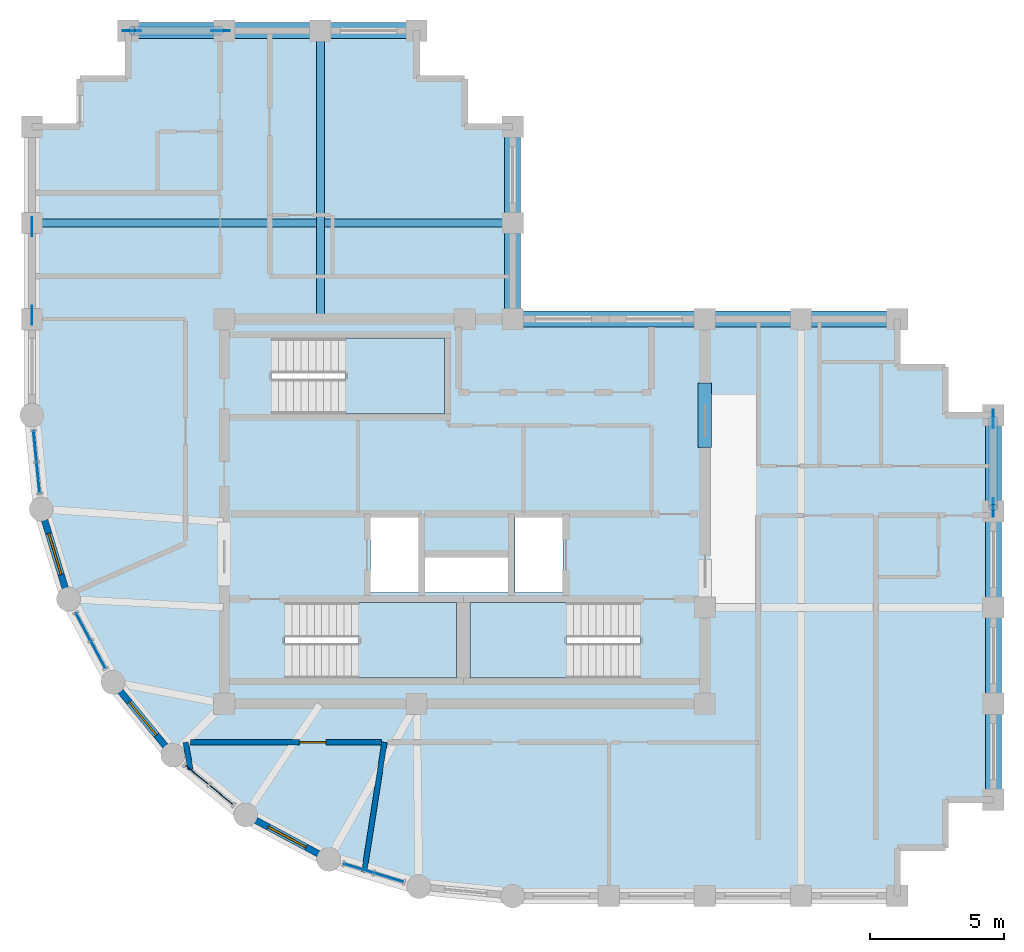
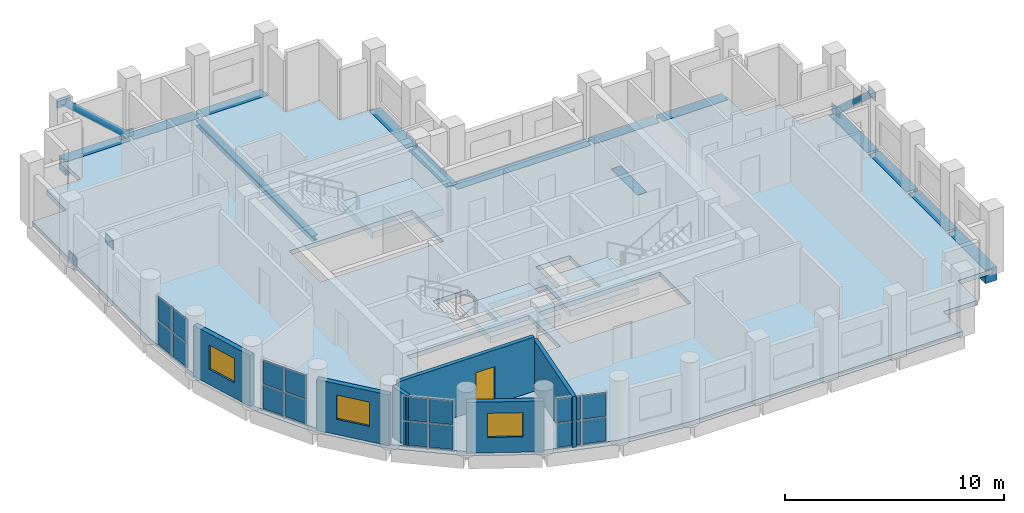
# One storey, part 6 of 11: 22 plates, 15 beams, 6 walls, 4 slabs, 3 windows, 2 members, 1 door, 4 openings, 7 elements without a shape of their own.
"""IFC4 building model written with IfcOpenShell, lengths in metres."""

from ifc_helpers import new_model, si_unit, direction, frame, frame_2d, origin, origin_2d, place, context, subcontext, project, spatial, polyline, rectangle, hollow_circle, i_section, outline, extrude, material, layer, layer_set, material_profile, profile_set, type_object, element, fill, aggregate, save


model = new_model("IFC4")

# Units and contexts
model_context = context("Model", 3, precision=1e-05, world=origin(), true_north=direction((0.0, 1.0)))
body_context = subcontext(model_context, "Body", "Model", "MODEL_VIEW")
ifc_project = project(units=[si_unit("LENGTHUNIT", "METRE"), si_unit("AREAUNIT", "SQUARE_METRE"), si_unit("VOLUMEUNIT", "CUBIC_METRE"), si_unit("PLANEANGLEUNIT", "RADIAN"), si_unit("MASSUNIT", "GRAM", prefix="KILO")], contexts=[model_context])

# Site, building, storey
site_placement = place(None, origin())
site = spatial("IfcSite", under=ifc_project, at=site_placement, CompositionType="ELEMENT")
building_placement = place(site_placement, origin())
building = spatial("IfcBuilding", under=site, at=building_placement, Name="Solnavia Interchange Tower", CompositionType="ELEMENT")
storey_placement = place(building_placement, frame((0.0, 0.0, 239.0)))
storey = spatial("IfcBuildingStorey", under=building, at=storey_placement, Name="L60", CompositionType="ELEMENT", Elevation=239.0)

# Beams
ifc_material_1 = material(Name="Concrete C50/60", Category="concrete")
ifc_material_profile_1 = material_profile(ifc_material_1, rectangle(XDim=0.5, YDim=0.800048828125, at=origin_2d()), Name="RC 500x800")
ifc_profile_set_1 = profile_set([ifc_material_profile_1], Name="Concrete C50/60")
beam_type_1 = type_object("IfcBeamType", Name="Beam-Coupling-RC500x800", PredefinedType="LINTEL", material=ifc_profile_set_1)
beam_1_placement = place(storey_placement, frame((32.39990234375, 20.39990234375, -0.39990234375), z_axis=(0.0, 1.0, 0.0), x_axis=(-1.0, 0.0, 0.0)))
element("IfcBeam", 1, at=beam_1_placement, inside=storey, type_object=beam_type_1, Name="CPB-L60-E2 Core coupling lintel beam", PredefinedType="LINTEL", context=body_context, shape_type="SweptSolid", body=[
    extrude(rectangle(XDim=0.5, YDim=0.800048828125, at=origin_2d()), origin(), (0.0, 0.0, 1.0), 2.400146484375),
])
ifc_material_2 = material(Name="Steel S460", Category="steel")
ifc_material_profile_2 = material_profile(ifc_material_2, i_section(OverallWidth=0.300048828125, OverallDepth=0.300048828125, WebThickness=0.010986328125, FlangeThickness=0.01904296875, FilletRadius=0.027099609375, at=origin_2d()), Name="HEB 300")
ifc_profile_set_2 = profile_set([ifc_material_profile_2], Name="Steel S460")
beam_type_2 = type_object("IfcBeamType", Name="Beam-Girder-HEB300", PredefinedType="BEAM", material=ifc_profile_set_2)
beam_2_placement = place(storey_placement, frame((18.0, 25.280029296875, -0.39990234375), z_axis=(0.0, 1.0, 0.0), x_axis=(-1.0, 0.0, 0.0)))
element("IfcBeam", 2, at=beam_2_placement, inside=storey, type_object=beam_type_2, Name="GRD-L60-NS03 North wing spine girder", PredefinedType="BEAM", context=body_context, shape_type="SweptSolid", body=[
    extrude(i_section(OverallWidth=0.300048828125, OverallDepth=0.300048828125, WebThickness=0.010986328125, FlangeThickness=0.01904296875, FilletRadius=0.027099609375, at=origin_2d()), origin(), (0.0, 0.0, 1.0), 10.639892578125),
])
beam_3_placement = place(storey_placement, frame((7.280029296875, 28.800048828125, -0.39990234375), z_axis=(1.0, 0.0, 0.0), x_axis=(0.0, 1.0, 0.0)))
element("IfcBeam", 3, at=beam_3_placement, inside=storey, type_object=beam_type_2, Name="GRD-L60-NW04 North wing primary floor girder", PredefinedType="BEAM", context=body_context, shape_type="SweptSolid", body=[
    extrude(i_section(OverallWidth=0.300048828125, OverallDepth=0.300048828125, WebThickness=0.010986328125, FlangeThickness=0.01904296875, FilletRadius=0.027099609375, at=origin_2d()), origin(), (0.0, 0.0, 1.0), 17.840087890625),
])
ifc_material_profile_3 = material_profile(ifc_material_1, rectangle(XDim=0.60009765625, YDim=0.75, at=origin_2d()), Name="RC 600x750")
ifc_profile_set_3 = profile_set([ifc_material_profile_3], Name="Concrete C50/60")
beam_type_3 = type_object("IfcBeamType", Name="Beam-Spandrel-RC600x750", PredefinedType="SPANDREL", material=ifc_profile_set_3)
beam_4_placement = place(storey_placement, frame((43.199951171875, 7.280029296875, -0.375), z_axis=(0.0, 1.0, 0.0), x_axis=(-1.0, 0.0, 0.0)))
element("IfcBeam", 4, at=beam_4_placement, inside=storey, type_object=beam_type_3, Name="SPB-L60-13 Framed-tube perimeter spandrel beam", PredefinedType="SPANDREL", context=body_context, shape_type="SweptSolid", body=[
    extrude(rectangle(XDim=0.60009765625, YDim=0.75, at=origin_2d()), origin(), (0.0, 0.0, 1.0), 3.43994140625),
])
beam_5_placement = place(storey_placement, frame((43.199951171875, 10.8798828125, -0.375), z_axis=(0.0, 1.0, 0.0), x_axis=(-1.0, 0.0, 0.0)))
element("IfcBeam", 5, at=beam_5_placement, inside=storey, type_object=beam_type_3, Name="SPB-L60-14 Framed-tube perimeter spandrel beam", PredefinedType="SPANDREL", context=body_context, shape_type="SweptSolid", body=[
    extrude(rectangle(XDim=0.60009765625, YDim=0.75, at=origin_2d()), origin(), (0.0, 0.0, 1.0), 3.440185546875),
])
for number, where, z_axis, x_axis, name in (
    (6, (43.199951171875, 14.47998046875, -0.375), (0.0, 1.0, 0.0), (-1.0, 0.0, 0.0), "SPB-L60-15 Framed-tube perimeter spandrel beam"),
    (7, (43.199951171875, 18.080078125, -0.375), (0.0, 1.0, 0.0), (-1.0, 0.0, 0.0), "SPB-L60-16 Framed-tube perimeter spandrel beam"),
    (8, (39.52001953125, 25.199951171875, -0.375), (-1.0, 0.0, 0.0), (0.0, -1.0, 0.0), "SPB-L60-17 Framed-tube perimeter spandrel beam"),
    (9, (35.919921875, 25.199951171875, -0.375), (-1.0, 0.0, 0.0), (0.0, -1.0, 0.0), "SPB-L60-18 Framed-tube perimeter spandrel beam"),
):
    element("IfcBeam", number, at=place(storey_placement, frame(where, z_axis=z_axis, x_axis=x_axis)), inside=storey, type_object=beam_type_3, Name=name, PredefinedType="SPANDREL", context=body_context, shape_type="SweptSolid", body=[
        extrude(rectangle(XDim=0.60009765625, YDim=0.75, at=origin_2d()), origin(), (0.0, 0.0, 1.0), 3.43994140625),
    ])
beam_6_placement = place(storey_placement, frame((32.320068359375, 25.199951171875, -0.375), z_axis=(-1.0, 0.0, 0.0), x_axis=(0.0, -1.0, 0.0)))
element("IfcBeam", 10, at=beam_6_placement, inside=storey, type_object=beam_type_3, Name="SPB-L60-19 Framed-tube perimeter spandrel beam", PredefinedType="SPANDREL", context=body_context, shape_type="SweptSolid", body=[
    extrude(rectangle(XDim=0.60009765625, YDim=0.75, at=origin_2d()), origin(), (0.0, 0.0, 1.0), 7.0400390625),
])
beam_7_placement = place(storey_placement, frame((25.199951171875, 25.280029296875, -0.375), z_axis=(0.0, 1.0, 0.0), x_axis=(-1.0, 0.0, 0.0)))
element("IfcBeam", 11, at=beam_7_placement, inside=storey, type_object=beam_type_3, Name="SPB-L60-20 Framed-tube perimeter spandrel beam", PredefinedType="SPANDREL", context=body_context, shape_type="SweptSolid", body=[
    extrude(rectangle(XDim=0.60009765625, YDim=0.75, at=origin_2d()), origin(), (0.0, 0.0, 1.0), 3.43994140625),
])
beam_8_placement = place(storey_placement, frame((25.199951171875, 28.8798828125, -0.375), z_axis=(0.0, 1.0, 0.0), x_axis=(-1.0, 0.0, 0.0)))
element("IfcBeam", 12, at=beam_8_placement, inside=storey, type_object=beam_type_3, Name="SPB-L60-21 Framed-tube perimeter spandrel beam", PredefinedType="SPANDREL", context=body_context, shape_type="SweptSolid", body=[
    extrude(rectangle(XDim=0.60009765625, YDim=0.75, at=origin_2d()), origin(), (0.0, 0.0, 1.0), 3.440185546875),
])
for number, where, z_axis, x_axis, name in (
    (13, (21.52001953125, 36.0, -0.375), (-1.0, 0.0, 0.0), (0.0, -1.0, 0.0), "SPB-L60-22 Framed-tube perimeter spandrel beam"),
    (14, (17.919921875, 36.0, -0.375), (-1.0, 0.0, 0.0), (0.0, -1.0, 0.0), "SPB-L60-23 Framed-tube perimeter spandrel beam"),
):
    element("IfcBeam", number, at=place(storey_placement, frame(where, z_axis=z_axis, x_axis=x_axis)), inside=storey, type_object=beam_type_3, Name=name, PredefinedType="SPANDREL", context=body_context, shape_type="SweptSolid", body=[
        extrude(rectangle(XDim=0.60009765625, YDim=0.75, at=origin_2d()), origin(), (0.0, 0.0, 1.0), 3.43994140625),
    ])
beam_9_placement = place(storey_placement, frame((14.320068359375, 36.0, -0.375), z_axis=(-1.0, 0.0, 0.0), x_axis=(0.0, -1.0, 0.0)))
element("IfcBeam", 15, at=beam_9_placement, inside=storey, type_object=beam_type_3, Name="SPB-L60-24 Framed-tube perimeter spandrel beam", PredefinedType="SPANDREL", context=body_context, shape_type="SweptSolid", body=[
    extrude(rectangle(XDim=0.60009765625, YDim=0.75, at=origin_2d()), origin(), (0.0, 0.0, 1.0), 3.440185546875),
])

# Members
ifc_material_profile_4 = material_profile(ifc_material_2, hollow_circle(Radius=0.177734375, WallThickness=0.01611328125, at=origin_2d()), Name="CHS 355.6x16")
ifc_profile_set_4 = profile_set([ifc_material_profile_4], Name="Steel S460")
member_type = type_object("IfcMemberType", Name="Brace-Perim-CHS355", PredefinedType="BRACE", material=ifc_profile_set_4)
for number, where, z_axis, x_axis, name in (
    (16, (43.199951171875, 21.4599609375, 0.179931640625), (0.0, -0.74307946371, 0.669203190827), (1.0, 0.0, 0.0), "BRC-L60-02 Perimeter tube diagonal brace"),
    (17, (14.260009765625, 36.0, 0.179931640625), (-0.74307946371, 0.0, 0.669203190827), (0.0, -1.0, 0.0), "BRC-L60-03 Perimeter tube diagonal brace"),
):
    element("IfcMember", number, at=place(storey_placement, frame(where, z_axis=z_axis, x_axis=x_axis)), inside=storey, type_object=member_type, Name=name, PredefinedType="BRACE", context=body_context, shape_type="SweptSolid", body=[
        extrude(hollow_circle(Radius=0.177734375, WallThickness=0.01611328125, at=origin_2d()), origin(), (0.0, 0.0, 1.0), 4.468017578125),
    ])

# Curtain wall, plates
ifc_material_3 = material(Name="Aluminium Alloy 6063-T6", Category="aluminium")
ifc_layer_1 = layer(ifc_material_3, 0.239990234375)
ifc_layer_set_1 = layer_set([ifc_layer_1], Name="Aluminium Alloy 6063-T6")
curtain_wall_type = type_object("IfcCurtainWallType", Name="CurtainWall-Drum-CTW2", PredefinedType="NOTDEFINED", material=ifc_layer_set_1)
curtain_wall_1_placement = place(storey_placement, origin())
curtain_wall_1 = element("IfcCurtainWall", 18, at=curtain_wall_1_placement, inside=storey, type_object=curtain_wall_type, Name="CTW-L60-D37 CTW-2 curtain wall", PredefinedType="NOTDEFINED")
ifc_material_4 = material(Name="Double-Glazed Low-E IGU Glass", Category="glass")
ifc_layer_2 = layer(ifc_material_4, 0.031982421875)
ifc_layer_set_2 = layer_set([ifc_layer_2], Name="Double-Glazed Low-E IGU Glass")
plate_type_1 = type_object("IfcPlateType", Name="CW-Panel-Solar-32", PredefinedType="CURTAIN_PANEL", material=ifc_layer_set_2)
plate_1_placement = place(storey_placement, frame((7.314697265625, 20.435791015625, 0.06494140625), z_axis=(0.0, 0.0, 1.0), x_axis=(0.098043088306, -0.995182170678, 0.0)))
plate_1 = element("IfcPlate", 19, at=plate_1_placement, type_object=plate_type_1, Name="CTW-2 panel 1.1", PredefinedType="CURTAIN_PANEL", context=body_context, shape_type="SweptSolid", body=[
    extrude(rectangle(XDim=1.114501953125, YDim=0.031982421875, at=origin_2d()), origin(), (0.0, 0.0, 1.0), 1.3173828125),
])
plate_2_placement = place(storey_placement, frame((7.314697265625, 20.435791015625, 1.447509765625), z_axis=(0.0, 0.0, 1.0), x_axis=(0.098043088306, -0.995182170678, 0.0)))
plate_2 = element("IfcPlate", 20, at=plate_2_placement, type_object=plate_type_1, Name="CTW-2 panel 1.2", PredefinedType="CURTAIN_PANEL", context=body_context, shape_type="SweptSolid", body=[
    extrude(rectangle(XDim=1.114501953125, YDim=0.031982421875, at=origin_2d()), origin(), (0.0, 0.0, 1.0), 1.3173828125),
])
plate_3_placement = place(storey_placement, frame((7.431396484375, 19.252197265625, 0.06494140625), z_axis=(0.0, 0.0, 1.0), x_axis=(0.098043088306, -0.995182170678, 0.0)))
plate_3 = element("IfcPlate", 21, at=plate_3_placement, type_object=plate_type_1, Name="CTW-2 panel 2.1", PredefinedType="CURTAIN_PANEL", context=body_context, shape_type="SweptSolid", body=[
    extrude(rectangle(XDim=1.114501953125, YDim=0.031982421875, at=origin_2d()), origin(), (0.0, 0.0, 1.0), 1.3173828125),
])
plate_4_placement = place(storey_placement, frame((7.431396484375, 19.252197265625, 1.447509765625), z_axis=(0.0, 0.0, 1.0), x_axis=(0.098043088306, -0.995182170678, 0.0)))
plate_4 = element("IfcPlate", 22, at=plate_4_placement, type_object=plate_type_1, Name="CTW-2 panel 2.2", PredefinedType="CURTAIN_PANEL", context=body_context, shape_type="SweptSolid", body=[
    extrude(rectangle(XDim=1.114501953125, YDim=0.031982421875, at=origin_2d()), origin(), (0.0, 0.0, 1.0), 1.3173828125),
])
aggregate(curtain_wall_1, [plate_1, plate_2, plate_3, plate_4])

curtain_wall_2_placement = place(storey_placement, origin())
curtain_wall_2 = element("IfcCurtainWall", 23, at=curtain_wall_2_placement, inside=storey, type_object=curtain_wall_type, Name="CTW-L60-D39 CTW-2 curtain wall", PredefinedType="NOTDEFINED")
plate_5_placement = place(storey_placement, frame((9.12158203125, 13.680419921875, 0.06494140625), z_axis=(0.0, 0.0, 1.0), x_axis=(0.471560876964, -0.881833509976, 0.0)))
plate_5 = element("IfcPlate", 24, at=plate_5_placement, type_object=plate_type_1, Name="CTW-2 panel 1.1", PredefinedType="CURTAIN_PANEL", context=body_context, shape_type="SweptSolid", body=[
    extrude(rectangle(XDim=1.114501953125, YDim=0.031982421875, at=origin_2d()), origin(), (0.0, 0.0, 1.0), 1.3173828125),
])
plate_6_placement = place(storey_placement, frame((9.12158203125, 13.680419921875, 1.447509765625), z_axis=(0.0, 0.0, 1.0), x_axis=(0.471560876964, -0.881833509976, 0.0)))
plate_6 = element("IfcPlate", 25, at=plate_6_placement, type_object=plate_type_1, Name="CTW-2 panel 1.2", PredefinedType="CURTAIN_PANEL", context=body_context, shape_type="SweptSolid", body=[
    extrude(rectangle(XDim=1.114501953125, YDim=0.031982421875, at=origin_2d()), origin(), (0.0, 0.0, 1.0), 1.3173828125),
])
plate_7_placement = place(storey_placement, frame((9.682373046875, 12.631591796875, 0.06494140625), z_axis=(0.0, 0.0, 1.0), x_axis=(0.471560876964, -0.881833509976, 0.0)))
plate_7 = element("IfcPlate", 26, at=plate_7_placement, type_object=plate_type_1, Name="CTW-2 panel 2.1", PredefinedType="CURTAIN_PANEL", context=body_context, shape_type="SweptSolid", body=[
    extrude(rectangle(XDim=1.114501953125, YDim=0.031982421875, at=origin_2d()), origin(), (0.0, 0.0, 1.0), 1.3173828125),
])
plate_8_placement = place(storey_placement, frame((9.682373046875, 12.631591796875, 1.447509765625), z_axis=(0.0, 0.0, 1.0), x_axis=(0.471560876964, -0.881833509976, 0.0)))
plate_8 = element("IfcPlate", 27, at=plate_8_placement, type_object=plate_type_1, Name="CTW-2 panel 2.2", PredefinedType="CURTAIN_PANEL", context=body_context, shape_type="SweptSolid", body=[
    extrude(rectangle(XDim=1.114501953125, YDim=0.031982421875, at=origin_2d()), origin(), (0.0, 0.0, 1.0), 1.3173828125),
])
aggregate(curtain_wall_2, [plate_5, plate_6, plate_7, plate_8])

curtain_wall_3_placement = place(storey_placement, origin())
curtain_wall_3 = element("IfcCurtainWall", 28, at=curtain_wall_3_placement, inside=storey, type_object=curtain_wall_type, Name="CTW-L60-D41 CTW-2 curtain wall", PredefinedType="NOTDEFINED")
plate_9_placement = place(storey_placement, frame((13.376220703125, 8.130126953125, 0.06494140625), z_axis=(0.0, 0.0, 1.0), x_axis=(0.773103093557, -0.634280384951, 0.0)))
plate_9 = element("IfcPlate", 29, at=plate_9_placement, type_object=plate_type_1, Name="CTW-2 panel 1.1", PredefinedType="CURTAIN_PANEL", context=body_context, shape_type="SweptSolid", body=[
    extrude(rectangle(XDim=1.1142578125, YDim=0.031982421875, at=origin_2d()), origin(), (0.0, 0.0, 1.0), 1.3173828125),
])
plate_10_placement = place(storey_placement, frame((13.376220703125, 8.130126953125, 1.447509765625), z_axis=(0.0, 0.0, 1.0), x_axis=(0.773103093557, -0.634280384951, 0.0)))
plate_10 = element("IfcPlate", 30, at=plate_10_placement, type_object=plate_type_1, Name="CTW-2 panel 1.2", PredefinedType="CURTAIN_PANEL", context=body_context, shape_type="SweptSolid", body=[
    extrude(rectangle(XDim=1.1142578125, YDim=0.031982421875, at=origin_2d()), origin(), (0.0, 0.0, 1.0), 1.3173828125),
])
plate_11_placement = place(storey_placement, frame((14.295654296875, 7.375732421875, 0.06494140625), z_axis=(0.0, 0.0, 1.0), x_axis=(0.773103093557, -0.634280384951, 0.0)))
plate_11 = element("IfcPlate", 31, at=plate_11_placement, type_object=plate_type_1, Name="CTW-2 panel 2.1", PredefinedType="CURTAIN_PANEL", context=body_context, shape_type="SweptSolid", body=[
    extrude(rectangle(XDim=1.1142578125, YDim=0.031982421875, at=origin_2d()), origin(), (0.0, 0.0, 1.0), 1.3173828125),
])
plate_12_placement = place(storey_placement, frame((14.295654296875, 7.375732421875, 1.447509765625), z_axis=(0.0, 0.0, 1.0), x_axis=(0.773103093557, -0.634280384951, 0.0)))
plate_12 = element("IfcPlate", 32, at=plate_12_placement, type_object=plate_type_1, Name="CTW-2 panel 2.2", PredefinedType="CURTAIN_PANEL", context=body_context, shape_type="SweptSolid", body=[
    extrude(rectangle(XDim=1.1142578125, YDim=0.031982421875, at=origin_2d()), origin(), (0.0, 0.0, 1.0), 1.3173828125),
])
aggregate(curtain_wall_3, [plate_9, plate_10, plate_11, plate_12])

curtain_wall_4_placement = place(storey_placement, origin())
curtain_wall_4 = element("IfcCurtainWall", 33, at=curtain_wall_4_placement, inside=storey, type_object=curtain_wall_type, Name="CTW-L60-D43 CTW-2 curtain wall", PredefinedType="NOTDEFINED")
plate_13_placement = place(storey_placement, frame((19.43115234375, 4.630615234375, 0.06494140625), z_axis=(0.0, 0.0, 1.0), x_axis=(0.956942072515, -0.290278951786, 0.0)))
plate_13 = element("IfcPlate", 34, at=plate_13_placement, type_object=plate_type_1, Name="CTW-2 panel 1.1", PredefinedType="CURTAIN_PANEL", context=body_context, shape_type="SweptSolid", body=[
    extrude(rectangle(XDim=1.114013671875, YDim=0.031982421875, at=origin_2d()), origin(), (0.0, 0.0, 1.0), 1.3173828125),
])
plate_14_placement = place(storey_placement, frame((19.43115234375, 4.630615234375, 1.447509765625), z_axis=(0.0, 0.0, 1.0), x_axis=(0.956942072515, -0.290278951786, 0.0)))
plate_14 = element("IfcPlate", 35, at=plate_14_placement, type_object=plate_type_1, Name="CTW-2 panel 1.2", PredefinedType="CURTAIN_PANEL", context=body_context, shape_type="SweptSolid", body=[
    extrude(rectangle(XDim=1.114013671875, YDim=0.031982421875, at=origin_2d()), origin(), (0.0, 0.0, 1.0), 1.3173828125),
])
plate_15_placement = place(storey_placement, frame((20.56884765625, 4.285400390625, 0.06494140625), z_axis=(0.0, 0.0, 1.0), x_axis=(0.956942072515, -0.290278951786, 0.0)))
plate_15 = element("IfcPlate", 36, at=plate_15_placement, type_object=plate_type_1, Name="CTW-2 panel 2.1", PredefinedType="CURTAIN_PANEL", context=body_context, shape_type="SweptSolid", body=[
    extrude(rectangle(XDim=1.114013671875, YDim=0.031982421875, at=origin_2d()), origin(), (0.0, 0.0, 1.0), 1.3173828125),
])
plate_16_placement = place(storey_placement, frame((20.56884765625, 4.285400390625, 1.447509765625), z_axis=(0.0, 0.0, 1.0), x_axis=(0.956942072515, -0.290278951786, 0.0)))
plate_16 = element("IfcPlate", 37, at=plate_16_placement, type_object=plate_type_1, Name="CTW-2 panel 2.2", PredefinedType="CURTAIN_PANEL", context=body_context, shape_type="SweptSolid", body=[
    extrude(rectangle(XDim=1.114013671875, YDim=0.031982421875, at=origin_2d()), origin(), (0.0, 0.0, 1.0), 1.3173828125),
])
aggregate(curtain_wall_4, [plate_13, plate_14, plate_15, plate_16])

# Plates
ifc_layer_3 = layer(ifc_material_2, 0.030029296875)
ifc_layer_set_3 = layer_set([ifc_layer_3], Name="Steel S460")
plate_type_2 = type_object("IfcPlateType", Name="Plate-Gusset-700x520x30", PredefinedType="USERDEFINED", material=ifc_layer_set_3)
for number, where, z_axis, x_axis, name in (
    (38, (7.199951171875, 28.659912109375, -0.080078125), (0.0, 0.0, 1.0), (0.0, -1.0, 0.0), "PLT-L60-GP01 Perimeter brace gusset plate"),
    (39, (7.199951171875, 25.340087890625, 2.909912109375), (0.0, 0.0, 1.0), (0.0, -1.0, 0.0), "PLT-L60-GP02 Perimeter brace gusset plate"),
    (40, (43.199951171875, 21.4599609375, -0.080078125), (0.0, 0.0, 1.0), (0.0, -1.0, 0.0), "PLT-L60-GP03 Perimeter brace gusset plate"),
    (41, (43.199951171875, 18.139892578125, 2.909912109375), (0.0, 0.0, 1.0), (0.0, -1.0, 0.0), "PLT-L60-GP04 Perimeter brace gusset plate"),
    (42, (14.260009765625, 36.0, -0.080078125), (0.0, 0.0, 1.0), (-1.0, 0.0, 0.0), "PLT-L60-GP05 Perimeter brace gusset plate"),
    (43, (10.93994140625, 36.0, 2.909912109375), (0.0, 0.0, 1.0), (-1.0, 0.0, 0.0), "PLT-L60-GP06 Perimeter brace gusset plate"),
):
    element("IfcPlate", number, at=place(storey_placement, frame(where, z_axis=z_axis, x_axis=x_axis)), inside=storey, type_object=plate_type_2, Name=name, ObjectType="GUSSET PLATE", PredefinedType="USERDEFINED", context=body_context, shape_type="SweptSolid", body=[
        extrude(rectangle(XDim=0.699951171875, YDim=0.030029296875, at=origin_2d()), origin(), (0.0, 0.0, 1.0), 0.52001953125),
    ])

# Stair, slab
ifc_material_5 = material(Name="Concrete C40/50", Category="concrete")
stair_type = type_object("IfcStairType", Name="Stair-Dogleg-RC", PredefinedType="HALF_TURN_STAIR", material=ifc_material_5)
stair_1_placement = place(storey_placement, origin())
stair_1 = element("IfcStair", 44, at=stair_1_placement, inside=storey, type_object=stair_type, Name="L60 Core exit stair 1", PredefinedType="HALF_TURN_STAIR")
ifc_layer_4 = layer(ifc_material_5, 0.35009765625)
ifc_layer_set_4 = layer_set([ifc_layer_4], Name="Concrete C40/50")
slab_type_1 = type_object("IfcSlabType", Name="Slab-StairLanding-350", PredefinedType="LANDING", material=ifc_layer_set_4)
slab_1_placement = place(storey_placement, frame((0.0, 0.0, 1.449951171875)))
slab_1 = element("IfcSlab", 45, at=slab_1_placement, type_object=slab_type_1, Name="ST-1 landing 1", PredefinedType="LANDING", context=body_context, shape_type="SweptSolid", body=[
    extrude(outline(polyline([(19.427978515625, 11.75), (23.10009765625, 11.75), (23.10009765625, 14.590087890625), (19.427978515625, 14.590087890625), (19.427978515625, 11.75)])), origin(), (0.0, 0.0, 1.0), 0.35009765625),
])
aggregate(stair_1, [slab_1])

stair_2_placement = place(storey_placement, origin())
stair_2 = element("IfcStair", 46, at=stair_2_placement, inside=storey, type_object=stair_type, Name="L60 Core exit stair 2", PredefinedType="HALF_TURN_STAIR")
slab_2_placement = place(storey_placement, frame((0.0, 0.0, 1.449951171875)))
slab_2 = element("IfcSlab", 47, at=slab_2_placement, type_object=slab_type_1, Name="ST-2 landing 1", PredefinedType="LANDING", context=body_context, shape_type="SweptSolid", body=[
    extrude(outline(polyline([(23.60009765625, 11.75), (27.221923828125, 11.75), (27.221923828125, 14.590087890625), (23.60009765625, 14.590087890625), (23.60009765625, 11.75)])), origin(), (0.0, 0.0, 1.0), 0.35009765625),
])
aggregate(stair_2, [slab_2])

stair_3_placement = place(storey_placement, origin())
stair_3 = element("IfcStair", 48, at=stair_3_placement, inside=storey, type_object=stair_type, Name="L60 Core exit stair 3", PredefinedType="HALF_TURN_STAIR")
slab_3_placement = place(storey_placement, frame((0.0, 0.0, 1.449951171875)))
slab_3 = element("IfcSlab", 49, at=slab_3_placement, type_object=slab_type_1, Name="ST-3 landing 1", PredefinedType="LANDING", context=body_context, shape_type="SweptSolid", body=[
    extrude(outline(polyline([(18.927978515625, 21.64990234375), (22.64990234375, 21.64990234375), (22.64990234375, 24.489990234375), (18.927978515625, 24.489990234375), (18.927978515625, 21.64990234375)])), origin(), (0.0, 0.0, 1.0), 0.35009765625),
])
aggregate(stair_3, [slab_3])

# Slab
ifc_layer_5 = layer(ifc_material_5, 0.25)
ifc_layer_set_5 = layer_set([ifc_layer_5], Name="Concrete C40/50")
slab_type_2 = type_object("IfcSlabType", Name="Slab-Tower-250", PredefinedType="FLOOR", material=ifc_layer_set_5)
slab_4_placement = place(storey_placement, frame((0.0, 0.0, -0.25)))
element("IfcSlab", 50, at=slab_4_placement, inside=storey, type_object=slab_type_2, Name="SLB-L60-01 Structural floor slab", PredefinedType="FLOOR", context=body_context, shape_type="SweptSolid", body=[
    extrude(outline(polyline([(25.199951171875, 3.60009765625), (39.60009765625, 3.60009765625), (39.60009765625, 5.39990234375), (41.39990234375, 5.39990234375), (41.39990234375, 7.199951171875), (43.199951171875, 7.199951171875), (43.199951171875, 21.60009765625), (41.39990234375, 21.60009765625), (41.39990234375, 23.39990234375), (39.60009765625, 23.39990234375), (39.60009765625, 25.199951171875), (25.199951171875, 25.199951171875), (25.199951171875, 32.39990234375), (23.39990234375, 32.39990234375), (23.39990234375, 34.199951171875), (21.60009765625, 34.199951171875), (21.60009765625, 36.0), (10.800048828125, 36.0), (10.800048828125, 34.199951171875), (9.0, 34.199951171875), (9.0, 32.39990234375), (7.199951171875, 32.39990234375), (7.199951171875, 21.60009765625), (7.5458984375, 18.087890625), (8.570068359375, 14.7119140625), (10.23388671875, 11.60009765625), (12.471923828125, 8.8720703125), (15.199951171875, 6.634033203125), (18.31201171875, 4.969970703125), (21.68798828125, 3.946044921875), (25.199951171875, 3.60009765625)]), holes=[polyline([(16.675048828125, 11.75), (23.10009765625, 11.75), (23.10009765625, 14.590087890625), (16.675048828125, 14.590087890625), (16.675048828125, 11.75)]), polyline([(23.60009765625, 11.75), (29.97509765625, 11.75), (29.97509765625, 14.590087890625), (23.60009765625, 14.590087890625), (23.60009765625, 11.75)]), polyline([(16.175048828125, 21.64990234375), (22.64990234375, 21.64990234375), (22.64990234375, 24.489990234375), (16.175048828125, 24.489990234375), (16.175048828125, 21.64990234375)]), polyline([(19.8798828125, 14.9599609375), (21.679931640625, 14.9599609375), (21.679931640625, 17.780029296875), (19.8798828125, 17.780029296875), (19.8798828125, 14.9599609375)]), polyline([(25.280029296875, 14.9599609375), (27.080078125, 14.9599609375), (27.080078125, 17.780029296875), (25.280029296875, 17.780029296875), (25.280029296875, 14.9599609375)]), polyline([(21.919921875, 14.9599609375), (25.02001953125, 14.9599609375), (25.02001953125, 16.280029296875), (21.919921875, 16.280029296875), (21.919921875, 14.9599609375)])]), origin(), (0.0, 0.0, 1.0), 0.25),
])

# Walls
ifc_material_6 = material(Name="Gypsum Acoustic Twin-Stud & Mineral Wool", Category="gypsum")
ifc_layer_6 = layer(ifc_material_6, 0.199951171875)
ifc_layer_set_6 = layer_set([ifc_layer_6], Name="Gypsum Acoustic Twin-Stud & Mineral Wool")
wall_type_1 = type_object("IfcWallType", Name="Wall-ApartmentParty-200", PredefinedType="PARTITIONING", material=ifc_layer_set_6)
wall_1_placement = place(storey_placement, frame((12.949951171875, 9.35009765625, 0.0), z_axis=(0.0, 0.0, 1.0), x_axis=(0.179628288534, -0.983734556656, 0.0)))
element("IfcWall", 51, at=wall_1_placement, inside=storey, type_object=wall_type_1, Name="PTW-L60-10 Interior partition wall", PredefinedType="PARTITIONING", context=body_context, shape_type="SweptSolid", body=[
    extrude(rectangle(XDim=1.041015625, YDim=0.199951171875, at=frame_2d((0.5205078125, 0.0))), origin(), (0.0, 0.0, 1.0), 2.830078125),
])
wall_2_placement = place(storey_placement, frame((20.39990234375, 9.35009765625, 0.0), z_axis=(0.0, 0.0, 1.0), x_axis=(-0.154606571481, -0.987976117148, 0.0)))
element("IfcWall", 52, at=wall_2_placement, inside=storey, type_object=wall_type_1, Name="PTW-L60-11 Interior partition wall", PredefinedType="PARTITIONING", context=body_context, shape_type="SweptSolid", body=[
    extrude(rectangle(XDim=4.928466796875, YDim=0.199951171875, at=frame_2d((2.46435546875, 0.0))), origin(), (0.0, 0.0, 1.0), 2.830078125),
])

# Wall, opening, door
wall_3_placement = place(storey_placement, frame((13.133056640625, 9.35009765625, 0.0), z_axis=(0.0, 0.0, 1.0), x_axis=(1.0, 0.0, 0.0)))
wall_3 = element("IfcWall", 53, at=wall_3_placement, inside=storey, type_object=wall_type_1, Name="PTW-L60-14 Interior partition wall", PredefinedType="PARTITIONING", context=body_context, shape_type="SweptSolid", body=[
    extrude(rectangle(XDim=7.162841796875, YDim=0.199951171875, at=frame_2d((3.58154296875, 0.0))), origin(), (0.0, 0.0, 1.0), 3.02001953125),
])
opening_1_placement = place(wall_3_placement, frame((4.077880859375, 0.0, 0.0)))
opening_1 = element("IfcOpeningElement", 54, at=opening_1_placement, cuts=wall_3, Name="Opening DR-07", PredefinedType="OPENING", context=body_context, shape_type="SweptSolid", body=[
    extrude(rectangle(XDim=1.0, YDim=2.10009765625, at=frame_2d((0.5, 1.050048828125))), frame((0.0, 0.10986328125, 0.0), z_axis=(0.0, -1.0, 0.0), x_axis=(1.0, 0.0, 0.0)), (0.0, 0.0, 1.0), 0.219970703125),
])
ifc_material_7 = material(Name="Timber & Acoustic Glazed Office Door", Category="wood")
door_type = type_object("IfcDoorType", Name="Door-Office-1000x2100", OperationType="SINGLE_SWING_RIGHT", PredefinedType="DOOR", material=ifc_material_7)
door_placement = place(opening_1_placement, origin())
door = element("IfcDoor", 55, at=door_placement, inside=storey, type_object=door_type, Name="DR-L60-05 Interior room door", OperationType="SINGLE_SWING_LEFT", OverallHeight=2.10009765625, OverallWidth=1.0, PredefinedType="DOOR", context=body_context, shape_type="SweptSolid", body=[
    extrude(rectangle(XDim=1.0, YDim=2.10009765625, at=frame_2d((0.5, 1.050048828125))), frame((0.0, 0.02490234375, 0.0), z_axis=(0.0, -1.0, 0.0), x_axis=(1.0, 0.0, 0.0)), (0.0, 0.0, 1.0), 0.050048828125),
])
fill(opening_1, door)

# Wall, opening, window
ifc_layer_7 = layer(ifc_material_5, 0.25)
ifc_layer_set_7 = layer_set([ifc_layer_7], Name="Concrete C40/50")
wall_type_2 = type_object("IfcWallType", Name="Wall-ExtSpandrel-250", PredefinedType="STANDARD", material=ifc_layer_set_7)
wall_4_placement = place(storey_placement, frame((8.570068359375, 14.7119140625, 0.0), z_axis=(0.0, 0.0, 1.0), x_axis=(-0.290305086481, 0.956934144423, 0.0)))
wall_4 = element("IfcWall", 56, at=wall_4_placement, inside=storey, type_object=wall_type_2, Name="EXW-L60-38 Exterior precast spandrel wall", PredefinedType="STANDARD", context=body_context, shape_type="SweptSolid", body=[
    extrude(rectangle(XDim=3.52783203125, YDim=0.25, at=frame_2d((1.763916015625, 0.0))), origin(), (0.0, 0.0, 1.0), 2.830078125),
])
opening_2_placement = place(wall_4_placement, frame((0.964111328125, 0.0, 0.85009765625)))
opening_2 = element("IfcOpeningElement", 57, at=opening_2_placement, cuts=wall_4, Name="Opening WIN-04", PredefinedType="OPENING", context=body_context, shape_type="SweptSolid", body=[
    extrude(rectangle(XDim=1.60009765625, YDim=1.35009765625, at=frame_2d((0.800048828125, 0.675048828125))), frame((0.0, 0.135009765625, 0.0), z_axis=(0.0, -1.0, 0.0), x_axis=(1.0, 0.0, 0.0)), (0.0, 0.0, 1.0), 0.27001953125),
])
ifc_material_8 = material(Name="Thermal-Break Aluminium & Low-E Glass", Category="aluminium")
window_type = type_object("IfcWindowType", Name="Window-Drum-1600x1350", PartitioningType="SINGLE_PANEL", PredefinedType="WINDOW", material=ifc_material_8)
window_1_placement = place(opening_2_placement, origin())
window_1 = element("IfcWindow", 58, at=window_1_placement, inside=storey, type_object=window_type, Name="WIN-L60-38 Facade ribbon window", OverallHeight=1.35009765625, OverallWidth=1.60009765625, PartitioningType="SINGLE_PANEL", PredefinedType="WINDOW", context=body_context, shape_type="SweptSolid", body=[
    extrude(rectangle(XDim=1.60009765625, YDim=1.35009765625, at=frame_2d((0.800048828125, 0.675048828125))), frame((0.0, 0.030029296875, 0.0), z_axis=(0.0, -1.0, 0.0), x_axis=(1.0, 0.0, 0.0)), (0.0, 0.0, 1.0), 0.06005859375),
])
fill(opening_2, window_1)

wall_5_placement = place(storey_placement, frame((12.471923828125, 8.8720703125, 0.0), z_axis=(0.0, 0.0, 1.0), x_axis=(-0.634258295121, 0.773121216285, 0.0)))
wall_5 = element("IfcWall", 59, at=wall_5_placement, inside=storey, type_object=wall_type_2, Name="EXW-L60-40 Exterior precast spandrel wall", PredefinedType="STANDARD", context=body_context, shape_type="SweptSolid", body=[
    extrude(rectangle(XDim=3.528564453125, YDim=0.25, at=frame_2d((1.76416015625, 0.0))), origin(), (0.0, 0.0, 1.0), 2.830078125),
])
opening_3_placement = place(wall_5_placement, frame((0.964111328125, 0.0, 0.85009765625)))
opening_3 = element("IfcOpeningElement", 60, at=opening_3_placement, cuts=wall_5, Name="Opening WIN-04", PredefinedType="OPENING", context=body_context, shape_type="SweptSolid", body=[
    extrude(rectangle(XDim=1.60009765625, YDim=1.35009765625, at=frame_2d((0.800048828125, 0.675048828125))), frame((0.0, 0.135009765625, 0.0), z_axis=(0.0, -1.0, 0.0), x_axis=(1.0, 0.0, 0.0)), (0.0, 0.0, 1.0), 0.27001953125),
])
window_2_placement = place(opening_3_placement, origin())
window_2 = element("IfcWindow", 61, at=window_2_placement, inside=storey, type_object=window_type, Name="WIN-L60-40 Facade ribbon window", OverallHeight=1.35009765625, OverallWidth=1.60009765625, PartitioningType="SINGLE_PANEL", PredefinedType="WINDOW", context=body_context, shape_type="SweptSolid", body=[
    extrude(rectangle(XDim=1.60009765625, YDim=1.35009765625, at=frame_2d((0.800048828125, 0.675048828125))), frame((0.0, 0.030029296875, 0.0), z_axis=(0.0, -1.0, 0.0), x_axis=(1.0, 0.0, 0.0)), (0.0, 0.0, 1.0), 0.06005859375),
])
fill(opening_3, window_2)

wall_6_placement = place(storey_placement, frame((18.31201171875, 4.969970703125, 0.0), z_axis=(0.0, 0.0, 1.0), x_axis=(-0.881846862014, 0.471535907389, 0.0)))
wall_6 = element("IfcWall", 62, at=wall_6_placement, inside=storey, type_object=wall_type_2, Name="EXW-L60-42 Exterior precast spandrel wall", PredefinedType="STANDARD", context=body_context, shape_type="SweptSolid", body=[
    extrude(rectangle(XDim=3.529052734375, YDim=0.25, at=frame_2d((1.7646484375, 0.0))), origin(), (0.0, 0.0, 1.0), 2.830078125),
])
opening_4_placement = place(wall_6_placement, frame((0.964111328125, 0.0, 0.85009765625)))
opening_4 = element("IfcOpeningElement", 63, at=opening_4_placement, cuts=wall_6, Name="Opening WIN-04", PredefinedType="OPENING", context=body_context, shape_type="SweptSolid", body=[
    extrude(rectangle(XDim=1.60009765625, YDim=1.35009765625, at=frame_2d((0.800048828125, 0.675048828125))), frame((0.0, 0.135009765625, 0.0), z_axis=(0.0, -1.0, 0.0), x_axis=(1.0, 0.0, 0.0)), (0.0, 0.0, 1.0), 0.27001953125),
])
window_3_placement = place(opening_4_placement, origin())
window_3 = element("IfcWindow", 64, at=window_3_placement, inside=storey, type_object=window_type, Name="WIN-L60-42 Facade ribbon window", OverallHeight=1.35009765625, OverallWidth=1.60009765625, PartitioningType="SINGLE_PANEL", PredefinedType="WINDOW", context=body_context, shape_type="SweptSolid", body=[
    extrude(rectangle(XDim=1.60009765625, YDim=1.35009765625, at=frame_2d((0.800048828125, 0.675048828125))), frame((0.0, 0.030029296875, 0.0), z_axis=(0.0, -1.0, 0.0), x_axis=(1.0, 0.0, 0.0)), (0.0, 0.0, 1.0), 0.06005859375),
])
fill(opening_4, window_3)

save(model, "model.ifc")
